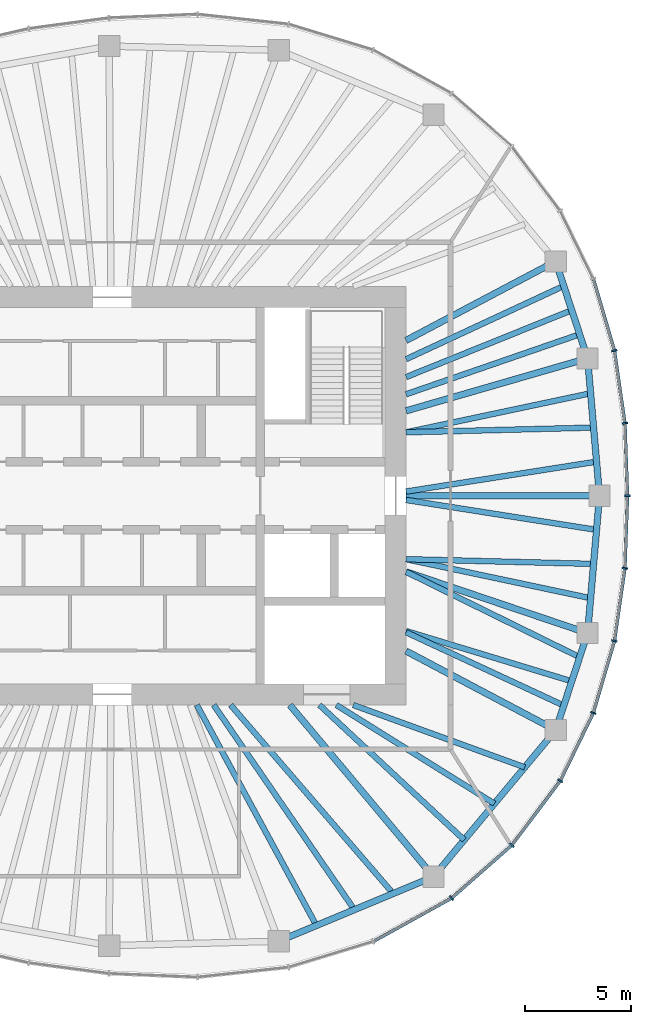
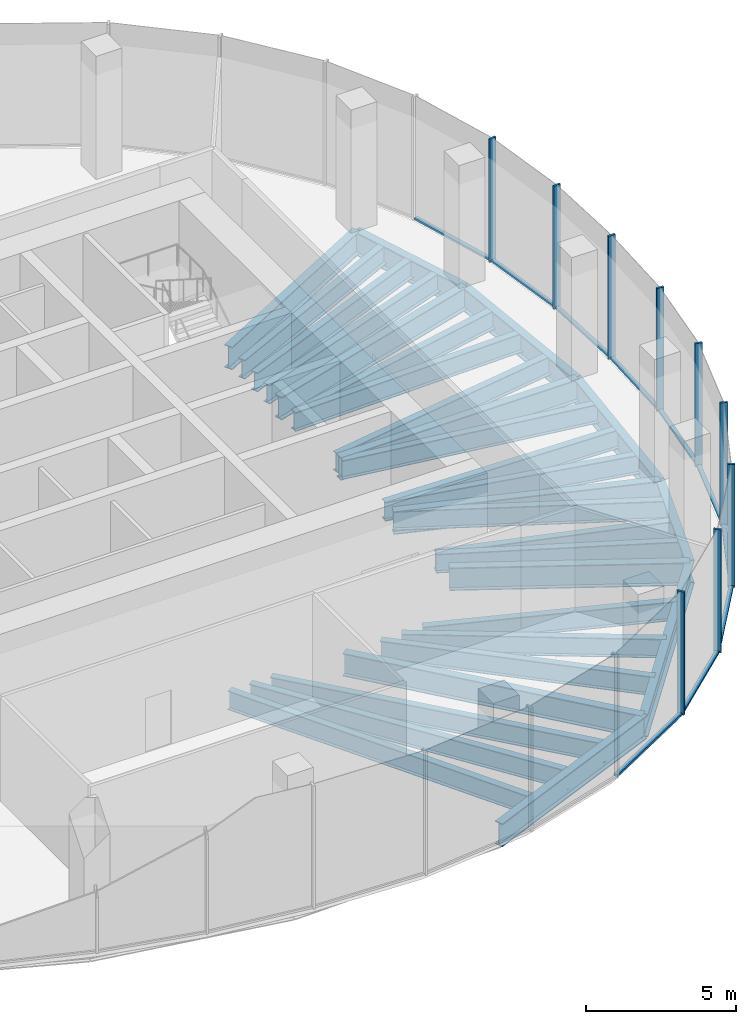
# One storey, part 4 of 11: 30 beams, 19 members, 6 elements without a shape of their own.
"""IFC4 building model written with IfcOpenShell, lengths in metres."""

from ifc_helpers import new_model, si_unit, direction, frame, origin, origin_2d, place, context, subcontext, project, spatial, rectangle, i_section, extrude, material, material_profile, profile_set, type_object, element, aggregate, save


model = new_model("IFC4")

# Units and contexts
model_context = context("Model", 3, precision=1e-05, world=origin(), true_north=direction((0.0, 1.0)))
body_context = subcontext(model_context, "Body", "Model", "MODEL_VIEW")
ifc_project = project(units=[si_unit("LENGTHUNIT", "METRE"), si_unit("AREAUNIT", "SQUARE_METRE"), si_unit("VOLUMEUNIT", "CUBIC_METRE"), si_unit("PLANEANGLEUNIT", "RADIAN"), si_unit("MASSUNIT", "GRAM", prefix="KILO")], contexts=[model_context])

# Site, building, storey
site_placement = place(None, origin())
site = spatial("IfcSite", under=ifc_project, at=site_placement, CompositionType="ELEMENT")
building_placement = place(site_placement, origin())
building = spatial("IfcBuilding", under=site, at=building_placement, Name="Ghaith Harvest Tower", CompositionType="ELEMENT")
storey_placement = place(building_placement, frame((0.0, 0.0, 344.199951171875)))
storey = spatial("IfcBuildingStorey", under=building, at=storey_placement, Name="L77", CompositionType="ELEMENT", Elevation=344.199951171875)

# Curtain wall, members
ifc_material_1 = material(Name="Black anodised aluminium and fritted glass", Category="aluminium")
curtain_wall_type = type_object("IfcCurtainWallType", Name="CW-C CURTAIN WALL", PredefinedType="NOTDEFINED", material=ifc_material_1)
curtain_wall_1_placement = place(storey_placement, origin())
curtain_wall_1 = element("IfcCurtainWall", 1, at=curtain_wall_1_placement, inside=storey, type_object=curtain_wall_type, Name="Curtain wall CW-C bay 01 L77", PredefinedType="NOTDEFINED")
ifc_material_2 = material(Name="Aluminium, black anodised", Category="aluminium")
ifc_material_profile_1 = material_profile(ifc_material_2, rectangle(XDim=0.080078125, YDim=0.260009765625, at=origin_2d()), Name="CW-C MULLION 80x260")
ifc_profile_set_1 = profile_set([ifc_material_profile_1], Name="Aluminium, black anodised")
member_type_1 = type_object("IfcMemberType", Name="CW-C MULLION 80x260", PredefinedType="MULLION", material=ifc_profile_set_1)
member_1_placement = place(storey_placement, frame((24.3701171875, 0.0, 0.0), z_axis=(0.0, 0.0, 1.0), x_axis=(5.2e-11, 1.0, 0.0)))
member_1 = element("IfcMember", 2, at=member_1_placement, type_object=member_type_1, Name="CW-C mullion 1 bay 01 L77", PredefinedType="MULLION", context=body_context, shape_type="SweptSolid", body=[
    extrude(rectangle(XDim=0.080078125, YDim=0.260009765625, at=origin_2d()), origin(), (0.0, 0.0, 1.0), 5.0),
])
member_2_placement = place(storey_placement, frame((24.247802734375, 3.433837890625, 0.0), z_axis=(0.0, 0.0, 1.0), x_axis=(-0.089502202236, 0.995986624305, 0.0)))
member_2 = element("IfcMember", 3, at=member_2_placement, type_object=member_type_1, Name="CW-C mullion 2 bay 01 L77", PredefinedType="MULLION", context=body_context, shape_type="SweptSolid", body=[
    extrude(rectangle(XDim=0.080078125, YDim=0.260009765625, at=origin_2d()), origin(), (0.0, 0.0, 1.0), 5.0),
])

# Curtain wall, member
curtain_wall_2_placement = place(storey_placement, origin())
curtain_wall_2 = element("IfcCurtainWall", 4, at=curtain_wall_2_placement, inside=storey, type_object=curtain_wall_type, Name="Curtain wall CW-C bay 02 L77", PredefinedType="NOTDEFINED")
member_3_placement = place(storey_placement, frame((23.753173828125, 6.865234375, 0.0), z_axis=(0.0, 0.0, 1.0), x_axis=(-0.21340203233, 0.976964468442, 0.0)))
member_3 = element("IfcMember", 5, at=member_3_placement, type_object=member_type_1, Name="CW-C mullion 1 bay 02 L77", PredefinedType="MULLION", context=body_context, shape_type="SweptSolid", body=[
    extrude(rectangle(XDim=0.080078125, YDim=0.260009765625, at=origin_2d()), origin(), (0.0, 0.0, 1.0), 5.0),
])

# Curtain wall, members
curtain_wall_3_placement = place(storey_placement, origin())
curtain_wall_3 = element("IfcCurtainWall", 6, at=curtain_wall_3_placement, inside=storey, type_object=curtain_wall_type, Name="Curtain wall CW-C bay 18 L77", PredefinedType="NOTDEFINED")
member_4_placement = place(storey_placement, frame((16.04931640625, -19.031982421875, 0.0), z_axis=(0.0, 0.0, 1.0), x_axis=(0.821112053644, 0.570767023715, 0.0)))
member_4 = element("IfcMember", 7, at=member_4_placement, type_object=member_type_1, Name="CW-C mullion 1 bay 18 L77", PredefinedType="MULLION", context=body_context, shape_type="SweptSolid", body=[
    extrude(rectangle(XDim=0.080078125, YDim=0.260009765625, at=origin_2d()), origin(), (0.0, 0.0, 1.0), 5.0),
])
member_5_placement = place(storey_placement, frame((18.901123046875, -16.527099609375, 0.0), z_axis=(0.0, 0.0, 1.0), x_axis=(0.679660897254, 0.733526458108, 0.0)))
member_5 = element("IfcMember", 8, at=member_5_placement, type_object=member_type_1, Name="CW-C mullion 2 bay 18 L77", PredefinedType="MULLION", context=body_context, shape_type="SweptSolid", body=[
    extrude(rectangle(XDim=0.080078125, YDim=0.260009765625, at=origin_2d()), origin(), (0.0, 0.0, 1.0), 5.0),
])

curtain_wall_4_placement = place(storey_placement, origin())
curtain_wall_4 = element("IfcCurtainWall", 9, at=curtain_wall_4_placement, inside=storey, type_object=curtain_wall_type, Name="Curtain wall CW-C bay 19 L77", PredefinedType="NOTDEFINED")
member_6_placement = place(storey_placement, frame((21.18896484375, -13.48486328125, 0.0), z_axis=(0.0, 0.0, 1.0), x_axis=(0.524482238715, 0.85142138878, 0.0)))
member_6 = element("IfcMember", 10, at=member_6_placement, type_object=member_type_1, Name="CW-C mullion 1 bay 19 L77", PredefinedType="MULLION", context=body_context, shape_type="SweptSolid", body=[
    extrude(rectangle(XDim=0.080078125, YDim=0.260009765625, at=origin_2d()), origin(), (0.0, 0.0, 1.0), 5.0),
])
member_7_placement = place(storey_placement, frame((22.754150390625, -10.272216796875, 0.0), z_axis=(0.0, 0.0, 1.0), x_axis=(0.361184273904, 0.932494461262, 0.0)))
member_7 = element("IfcMember", 11, at=member_7_placement, type_object=member_type_1, Name="CW-C mullion 2 bay 19 L77", PredefinedType="MULLION", context=body_context, shape_type="SweptSolid", body=[
    extrude(rectangle(XDim=0.080078125, YDim=0.260009765625, at=origin_2d()), origin(), (0.0, 0.0, 1.0), 5.0),
])

curtain_wall_5_placement = place(storey_placement, origin())
curtain_wall_5 = element("IfcCurtainWall", 12, at=curtain_wall_5_placement, inside=storey, type_object=curtain_wall_type, Name="Curtain wall CW-C bay 20 L77", PredefinedType="NOTDEFINED")
member_8_placement = place(storey_placement, frame((23.753173828125, -6.865234375, 0.0), z_axis=(0.0, 0.0, 1.0), x_axis=(0.213402032501, 0.976964468404, 0.0)))
member_8 = element("IfcMember", 13, at=member_8_placement, type_object=member_type_1, Name="CW-C mullion 1 bay 20 L77", PredefinedType="MULLION", context=body_context, shape_type="SweptSolid", body=[
    extrude(rectangle(XDim=0.080078125, YDim=0.260009765625, at=origin_2d()), origin(), (0.0, 0.0, 1.0), 5.0),
])
member_9_placement = place(storey_placement, frame((24.247802734375, -3.433837890625, 0.0), z_axis=(0.0, 0.0, 1.0), x_axis=(0.089502202305, 0.995986624299, 0.0)))
member_9 = element("IfcMember", 14, at=member_9_placement, type_object=member_type_1, Name="CW-C mullion 2 bay 20 L77", PredefinedType="MULLION", context=body_context, shape_type="SweptSolid", body=[
    extrude(rectangle(XDim=0.080078125, YDim=0.260009765625, at=origin_2d()), origin(), (0.0, 0.0, 1.0), 5.0),
])

# Member
ifc_material_3 = material(Name="Aluminium, black anodised", Category="aluminium")
ifc_material_profile_2 = material_profile(ifc_material_3, rectangle(XDim=0.159912109375, YDim=0.080078125, at=origin_2d()), Name="CW-C TRANSOM 160x80")
ifc_profile_set_2 = profile_set([ifc_material_profile_2], Name="Aluminium, black anodised")
member_type_2 = type_object("IfcMemberType", Name="CW-C TRANSOM 160x80", PredefinedType="USERDEFINED", material=ifc_profile_set_2)
member_10_placement = place(storey_placement, frame((24.36865234375, 0.0400390625, 0.0400390625), z_axis=(-0.035574759537, 0.999367017909, 0.0), x_axis=(-0.999367017909, -0.035574759537, 0.0)))
member_10 = element("IfcMember", 15, at=member_10_placement, type_object=member_type_2, Name="CW-C transom 1 bay 01 L77", ObjectType="TRANSOM", PredefinedType="USERDEFINED", context=body_context, shape_type="SweptSolid", body=[
    extrude(rectangle(XDim=0.159912109375, YDim=0.080078125, at=origin_2d()), origin(), (0.0, 0.0, 1.0), 3.35595703125),
])

member_11_placement = place(storey_placement, frame((24.2421875, 3.473388671875, 0.0400390625), z_axis=(-0.142733224301, 0.989761196795, 0.0), x_axis=(-0.989761196795, -0.142733224301, 0.0)))
member_11 = element("IfcMember", 16, at=member_11_placement, type_object=member_type_2, Name="CW-C transom 2 bay 01 L77", ObjectType="TRANSOM", PredefinedType="USERDEFINED", context=body_context, shape_type="SweptSolid", body=[
    extrude(rectangle(XDim=0.159912109375, YDim=0.080078125, at=origin_2d()), origin(), (0.0, 0.0, 1.0), 3.38671875),
])

aggregate(curtain_wall_1, [member_1, member_10, member_2, member_11])

member_12_placement = place(storey_placement, frame((23.741943359375, 6.903564453125, 0.0400390625), z_axis=(-0.281385475469, 0.95959481772, 0.0), x_axis=(-0.95959481772, -0.281385475469, 0.0)))
member_12 = element("IfcMember", 17, at=member_12_placement, type_object=member_type_2, Name="CW-C transom 1 bay 02 L77", ObjectType="TRANSOM", PredefinedType="USERDEFINED", context=body_context, shape_type="SweptSolid", body=[
    extrude(rectangle(XDim=0.159912109375, YDim=0.080078125, at=origin_2d()), origin(), (0.0, 0.0, 1.0), 3.470458984375),
])

aggregate(curtain_wall_2, [member_3, member_12])

# Curtain wall, member
curtain_wall_6_placement = place(storey_placement, origin())
curtain_wall_6 = element("IfcCurtainWall", 18, at=curtain_wall_6_placement, inside=storey, type_object=curtain_wall_type, Name="Curtain wall CW-C bay 17 L77", PredefinedType="NOTDEFINED")
member_13_placement = place(storey_placement, frame((12.369384765625, -21.072509765625, 0.0400390625), z_axis=(0.874552130553, 0.484931511603, 0.0), x_axis=(-0.484931511603, 0.874552130553, 0.0)))
member_13 = element("IfcMember", 19, at=member_13_placement, type_object=member_type_2, Name="CW-C transom 2 bay 17 L77", ObjectType="TRANSOM", PredefinedType="USERDEFINED", context=body_context, shape_type="SweptSolid", body=[
    extrude(rectangle(XDim=0.159912109375, YDim=0.080078125, at=origin_2d()), origin(), (0.0, 0.0, 1.0), 4.16748046875),
])
aggregate(curtain_wall_6, [member_13])

# Member
member_14_placement = place(storey_placement, frame((16.079345703125, -19.005615234375, 0.0400390625), z_axis=(0.751325799984, 0.659931467865, 0.0), x_axis=(-0.659931467865, 0.751325799984, 0.0)))
member_14 = element("IfcMember", 20, at=member_14_placement, type_object=member_type_2, Name="CW-C transom 1 bay 18 L77", ObjectType="TRANSOM", PredefinedType="USERDEFINED", context=body_context, shape_type="SweptSolid", body=[
    extrude(rectangle(XDim=0.159912109375, YDim=0.080078125, at=origin_2d()), origin(), (0.0, 0.0, 1.0), 3.7158203125),
])

member_15_placement = place(storey_placement, frame((18.925048828125, -16.4951171875, 0.0400390625), z_axis=(0.601079103045, 0.799189534392, 0.0), x_axis=(-0.799189534392, 0.601079103045, 0.0)))
member_15 = element("IfcMember", 21, at=member_15_placement, type_object=member_type_2, Name="CW-C transom 2 bay 18 L77", ObjectType="TRANSOM", PredefinedType="USERDEFINED", context=body_context, shape_type="SweptSolid", body=[
    extrude(rectangle(XDim=0.159912109375, YDim=0.080078125, at=origin_2d()), origin(), (0.0, 0.0, 1.0), 3.7265625),
])

aggregate(curtain_wall_3, [member_4, member_14, member_5, member_15])

member_16_placement = place(storey_placement, frame((21.20654296875, -13.448974609375, 0.0400390625), z_axis=(0.437965078712, 0.898991985408, 0.0), x_axis=(-0.898991985408, 0.437965078712, 0.0)))
member_16 = element("IfcMember", 22, at=member_16_placement, type_object=member_type_2, Name="CW-C transom 1 bay 19 L77", ObjectType="TRANSOM", PredefinedType="USERDEFINED", context=body_context, shape_type="SweptSolid", body=[
    extrude(rectangle(XDim=0.159912109375, YDim=0.080078125, at=origin_2d()), origin(), (0.0, 0.0, 1.0), 3.493408203125),
])

member_17_placement = place(storey_placement, frame((22.765380859375, -10.23388671875, 0.0400390625), z_axis=(0.281385475469, 0.95959481772, 0.0), x_axis=(-0.95959481772, 0.281385475469, 0.0)))
member_17 = element("IfcMember", 23, at=member_17_placement, type_object=member_type_2, Name="CW-C transom 2 bay 19 L77", ObjectType="TRANSOM", PredefinedType="USERDEFINED", context=body_context, shape_type="SweptSolid", body=[
    extrude(rectangle(XDim=0.159912109375, YDim=0.080078125, at=origin_2d()), origin(), (0.0, 0.0, 1.0), 3.470458984375),
])

aggregate(curtain_wall_4, [member_6, member_16, member_7, member_17])

member_18_placement = place(storey_placement, frame((23.7587890625, -6.825439453125, 0.0400390625), z_axis=(0.142733224301, 0.989761196795, 0.0), x_axis=(-0.989761196795, 0.142733224301, 0.0)))
member_18 = element("IfcMember", 24, at=member_18_placement, type_object=member_type_2, Name="CW-C transom 1 bay 20 L77", ObjectType="TRANSOM", PredefinedType="USERDEFINED", context=body_context, shape_type="SweptSolid", body=[
    extrude(rectangle(XDim=0.159912109375, YDim=0.080078125, at=origin_2d()), origin(), (0.0, 0.0, 1.0), 3.38671875),
])

member_19_placement = place(storey_placement, frame((24.249267578125, -3.393798828125, 0.0400390625), z_axis=(0.035574759537, 0.999367017909, 0.0), x_axis=(-0.999367017909, 0.035574759537, 0.0)))
member_19 = element("IfcMember", 25, at=member_19_placement, type_object=member_type_2, Name="CW-C transom 2 bay 20 L77", ObjectType="TRANSOM", PredefinedType="USERDEFINED", context=body_context, shape_type="SweptSolid", body=[
    extrude(rectangle(XDim=0.159912109375, YDim=0.080078125, at=origin_2d()), origin(), (0.0, 0.0, 1.0), 3.35595703125),
])

aggregate(curtain_wall_5, [member_8, member_18, member_9, member_19])

# Beams
ifc_material_4 = material(Name="Steel ASTM A992 Grade 50", Category="steel")
ifc_material_profile_3 = material_profile(ifc_material_4, i_section(OverallWidth=0.306884765625, OverallDepth=0.94189453125, WebThickness=0.022216796875, FlangeThickness=0.039794921875, at=origin_2d()), Name="W920X345")
ifc_profile_set_3 = profile_set([ifc_material_profile_3], Name="Steel ASTM A992 Grade 50")
beam_type_1 = type_object("IfcBeamType", Name="E920-345 W920X345", PredefinedType="SPANDREL", material=ifc_profile_set_3)
beam_1_placement = place(storey_placement, frame((23.050048828125, 0.0, -0.77099609375), z_axis=(-0.086600547306, 0.996243115513, 0.0), x_axis=(-0.996243115513, -0.086600547306, 0.0)))
element("IfcBeam", 26, at=beam_1_placement, inside=storey, type_object=beam_type_1, Name="Edge beam E01 L77", PredefinedType="SPANDREL", context=body_context, shape_type="SweptSolid", body=[
    extrude(i_section(OverallWidth=0.306884765625, OverallDepth=0.94189453125, WebThickness=0.022216796875, FlangeThickness=0.039794921875, at=origin_2d()), origin(), (0.0, 0.0, 1.0), 6.5234375),
])
beam_2_placement = place(storey_placement, frame((22.485107421875, 6.4990234375, -0.77099609375), z_axis=(-0.312206727278, 0.950014189074, 0.0), x_axis=(-0.950014189074, -0.312206727278, 0.0)))
element("IfcBeam", 27, at=beam_2_placement, inside=storey, type_object=beam_type_1, Name="Edge beam E02 L77", PredefinedType="SPANDREL", context=body_context, shape_type="SweptSolid", body=[
    extrude(i_section(OverallWidth=0.306884765625, OverallDepth=0.94189453125, WebThickness=0.022216796875, FlangeThickness=0.039794921875, at=origin_2d()), origin(), (0.0, 0.0, 1.0), 4.830322265625),
])
beam_3_placement = place(storey_placement, frame((7.8779296875, -21.072021484375, -0.77099609375), z_axis=(0.923119729219, 0.384512633766, 0.0), x_axis=(-0.384512633766, 0.923119729219, 0.0)))
element("IfcBeam", 28, at=beam_3_placement, inside=storey, type_object=beam_type_1, Name="Edge beam E17 L77", PredefinedType="SPANDREL", context=body_context, shape_type="SweptSolid", body=[
    extrude(i_section(OverallWidth=0.306884765625, OverallDepth=0.94189453125, WebThickness=0.022216796875, FlangeThickness=0.039794921875, at=origin_2d()), origin(), (0.0, 0.0, 1.0), 7.9296875),
])
beam_4_placement = place(storey_placement, frame((15.197998046875, -18.02294921875, -0.77099609375), z_axis=(0.640173759088, 0.76823014662, 0.0), x_axis=(-0.76823014662, 0.640173759088, 0.0)))
element("IfcBeam", 29, at=beam_4_placement, inside=storey, type_object=beam_type_1, Name="Edge beam E18 L77", PredefinedType="SPANDREL", context=body_context, shape_type="SweptSolid", body=[
    extrude(i_section(OverallWidth=0.306884765625, OverallDepth=0.94189453125, WebThickness=0.022216796875, FlangeThickness=0.039794921875, at=origin_2d()), origin(), (0.0, 0.0, 1.0), 9.02734375),
])
beam_5_placement = place(storey_placement, frame((20.97705078125, -11.087890625, -0.77099609375), z_axis=(0.312206727278, 0.950014189074, 0.0), x_axis=(-0.950014189074, 0.312206727278, 0.0)))
element("IfcBeam", 30, at=beam_5_placement, inside=storey, type_object=beam_type_1, Name="Edge beam E19 L77", PredefinedType="SPANDREL", context=body_context, shape_type="SweptSolid", body=[
    extrude(i_section(OverallWidth=0.306884765625, OverallDepth=0.94189453125, WebThickness=0.022216796875, FlangeThickness=0.039794921875, at=origin_2d()), origin(), (0.0, 0.0, 1.0), 4.830322265625),
])
beam_6_placement = place(storey_placement, frame((22.485107421875, -6.4990234375, -0.77099609375), z_axis=(0.086600547306, 0.996243115513, 0.0), x_axis=(-0.996243115513, 0.086600547306, 0.0)))
element("IfcBeam", 31, at=beam_6_placement, inside=storey, type_object=beam_type_1, Name="Edge beam E20 L77", PredefinedType="SPANDREL", context=body_context, shape_type="SweptSolid", body=[
    extrude(i_section(OverallWidth=0.306884765625, OverallDepth=0.94189453125, WebThickness=0.022216796875, FlangeThickness=0.039794921875, at=origin_2d()), origin(), (0.0, 0.0, 1.0), 6.5234375),
])
ifc_material_5 = material(Name="Steel ASTM A992 Grade 50", Category="steel")
ifc_material_profile_4 = material_profile(ifc_material_5, i_section(OverallWidth=0.31005859375, OverallDepth=0.927001953125, WebThickness=0.019287109375, FlangeThickness=0.031982421875, at=origin_2d()), Name="W920X289")
ifc_profile_set_4 = profile_set([ifc_material_profile_4], Name="Steel ASTM A992 Grade 50")
beam_type_2 = type_object("IfcBeamType", Name="G920-289 W920X289", PredefinedType="BEAM", material=ifc_profile_set_4)
beam_7_placement = place(storey_placement, frame((13.89990234375, 0.0, -0.763427734375), z_axis=(1.0, 0.0, 0.0), x_axis=(0.0, 1.0, 0.0)))
element("IfcBeam", 32, at=beam_7_placement, inside=storey, type_object=beam_type_2, Name="Radial girder G01 L77", PredefinedType="BEAM", context=body_context, shape_type="SweptSolid", body=[
    extrude(i_section(OverallWidth=0.31005859375, OverallDepth=0.927001953125, WebThickness=0.019287109375, FlangeThickness=0.031982421875, at=origin_2d()), origin(), (0.0, 0.0, 1.0), 9.150146484375),
])
beam_8_placement = place(storey_placement, frame((13.89990234375, 4.017333984375, -0.763427734375), z_axis=(0.960668846071, 0.27769653975, 0.0), x_axis=(-0.27769653975, 0.960668846071, 0.0)))
element("IfcBeam", 33, at=beam_8_placement, inside=storey, type_object=beam_type_2, Name="Radial girder G02 L77", PredefinedType="BEAM", context=body_context, shape_type="SweptSolid", body=[
    extrude(i_section(OverallWidth=0.31005859375, OverallDepth=0.927001953125, WebThickness=0.019287109375, FlangeThickness=0.031982421875, at=origin_2d()), origin(), (0.0, 0.0, 1.0), 8.936767578125),
])
beam_9_placement = place(storey_placement, frame((13.89990234375, 7.34716796875, -0.763427734375), z_axis=(0.884097820364, 0.467301876764, 0.0), x_axis=(-0.467301876764, 0.884097820364, 0.0)))
element("IfcBeam", 34, at=beam_9_placement, inside=storey, type_object=beam_type_2, Name="Radial girder G03 L77", PredefinedType="BEAM", context=body_context, shape_type="SweptSolid", body=[
    extrude(i_section(OverallWidth=0.31005859375, OverallDepth=0.927001953125, WebThickness=0.019287109375, FlangeThickness=0.031982421875, at=origin_2d()), origin(), (0.0, 0.0, 1.0), 8.0048828125),
])
beam_10_placement = place(storey_placement, frame((8.39990234375, -9.89990234375, -0.763427734375), z_axis=(0.641792628883, -0.766878231215, 0.0), x_axis=(0.766878231215, 0.641792628883, 0.0)))
element("IfcBeam", 35, at=beam_10_placement, inside=storey, type_object=beam_type_2, Name="Radial girder G18 L77", PredefinedType="BEAM", context=body_context, shape_type="SweptSolid", body=[
    extrude(i_section(OverallWidth=0.31005859375, OverallDepth=0.927001953125, WebThickness=0.019287109375, FlangeThickness=0.031982421875, at=origin_2d()), origin(), (0.0, 0.0, 1.0), 10.59228515625),
])
beam_11_placement = place(storey_placement, frame((13.89990234375, -7.34716796875, -0.763427734375), z_axis=(0.884097820364, -0.467301876764, 0.0), x_axis=(0.467301876764, 0.884097820364, 0.0)))
element("IfcBeam", 36, at=beam_11_placement, inside=storey, type_object=beam_type_2, Name="Radial girder G19 L77", PredefinedType="BEAM", context=body_context, shape_type="SweptSolid", body=[
    extrude(i_section(OverallWidth=0.31005859375, OverallDepth=0.927001953125, WebThickness=0.019287109375, FlangeThickness=0.031982421875, at=origin_2d()), origin(), (0.0, 0.0, 1.0), 8.0048828125),
])
beam_12_placement = place(storey_placement, frame((13.89990234375, -3.60009765625, -0.763427734375), z_axis=(0.947444819082, -0.319919231673, 0.0), x_axis=(0.319919231673, 0.947444819082, 0.0)))
element("IfcBeam", 37, at=beam_12_placement, inside=storey, type_object=beam_type_2, Name="Radial girder G20 L77", PredefinedType="BEAM", context=body_context, shape_type="SweptSolid", body=[
    extrude(i_section(OverallWidth=0.31005859375, OverallDepth=0.927001953125, WebThickness=0.019287109375, FlangeThickness=0.031982421875, at=origin_2d()), origin(), (0.0, 0.0, 1.0), 9.0615234375),
])
ifc_material_6 = material(Name="Steel ASTM A992 Grade 50", Category="steel")
ifc_material_profile_5 = material_profile(ifc_material_6, i_section(OverallWidth=0.26806640625, OverallDepth=0.77001953125, WebThickness=0.015625, FlangeThickness=0.025390625, at=origin_2d()), Name="W760X196")
ifc_profile_set_5 = profile_set([ifc_material_profile_5], Name="Steel ASTM A992 Grade 50")
beam_type_3 = type_object("IfcBeamType", Name="J760-196 W760X196", PredefinedType="JOIST", material=ifc_profile_set_5)
beam_13_placement = place(storey_placement, frame((13.89990234375, 0.199951171875, -0.68505859375), z_axis=(0.987906665526, 0.155049734628, 0.0), x_axis=(-0.155049734628, 0.987906665526, 0.0)))
element("IfcBeam", 38, at=beam_13_placement, inside=storey, type_object=beam_type_3, Name="Joist J01.1 L77", PredefinedType="JOIST", context=body_context, shape_type="SweptSolid", body=[
    extrude(i_section(OverallWidth=0.26806640625, OverallDepth=0.77001953125, WebThickness=0.015625, FlangeThickness=0.025390625, at=origin_2d()), origin(), (0.0, 0.0, 1.0), 9.1201171875),
])
beam_14_placement = place(storey_placement, frame((13.89990234375, 3.0, -0.68505859375), z_axis=(0.999679533859, 0.025314612071, 0.0), x_axis=(-0.025314612071, 0.999679533859, 0.0)))
element("IfcBeam", 39, at=beam_14_placement, inside=storey, type_object=beam_type_3, Name="Joist J01.2 L77", PredefinedType="JOIST", context=body_context, shape_type="SweptSolid", body=[
    extrude(i_section(OverallWidth=0.26806640625, OverallDepth=0.77001953125, WebThickness=0.015625, FlangeThickness=0.025390625, at=origin_2d()), origin(), (0.0, 0.0, 1.0), 8.872802734375),
])
beam_15_placement = place(storey_placement, frame((13.89990234375, 3.0, -0.68505859375), z_axis=(0.97833382446, 0.207033639579, 0.0), x_axis=(-0.207033639579, 0.97833382446, 0.0)))
element("IfcBeam", 40, at=beam_15_placement, inside=storey, type_object=beam_type_3, Name="Joist J01.3 L77", PredefinedType="JOIST", context=body_context, shape_type="SweptSolid", body=[
    extrude(i_section(OverallWidth=0.26806640625, OverallDepth=0.77001953125, WebThickness=0.015625, FlangeThickness=0.025390625, at=origin_2d()), origin(), (0.0, 0.0, 1.0), 8.922119140625),
])
beam_16_placement = place(storey_placement, frame((13.89990234375, 4.801025390625, -0.68505859375), z_axis=(0.945204712775, 0.326478254937, 0.0), x_axis=(-0.326478254937, 0.945204712775, 0.0)))
element("IfcBeam", 41, at=beam_16_placement, inside=storey, type_object=beam_type_3, Name="Joist J02.1 L77", PredefinedType="JOIST", context=body_context, shape_type="SweptSolid", body=[
    extrude(i_section(OverallWidth=0.26806640625, OverallDepth=0.77001953125, WebThickness=0.015625, FlangeThickness=0.025390625, at=origin_2d()), origin(), (0.0, 0.0, 1.0), 8.687255859375),
])
beam_17_placement = place(storey_placement, frame((13.89990234375, 5.61328125, -0.68505859375), z_axis=(0.927254375113, 0.374432001615, 0.0), x_axis=(-0.374432001615, 0.927254375113, 0.0)))
element("IfcBeam", 42, at=beam_17_placement, inside=storey, type_object=beam_type_3, Name="Joist J02.2 L77", PredefinedType="JOIST", context=body_context, shape_type="SweptSolid", body=[
    extrude(i_section(OverallWidth=0.26806640625, OverallDepth=0.77001953125, WebThickness=0.015625, FlangeThickness=0.025390625, at=origin_2d()), origin(), (0.0, 0.0, 1.0), 8.450927734375),
])
beam_18_placement = place(storey_placement, frame((13.89990234375, 6.45947265625, -0.68505859375), z_axis=(0.906859906661, 0.42143221245, 0.0), x_axis=(-0.42143221245, 0.906859906661, 0.0)))
element("IfcBeam", 43, at=beam_18_placement, inside=storey, type_object=beam_type_3, Name="Joist J02.3 L77", PredefinedType="JOIST", context=body_context, shape_type="SweptSolid", body=[
    extrude(i_section(OverallWidth=0.26806640625, OverallDepth=0.77001953125, WebThickness=0.015625, FlangeThickness=0.025390625, at=origin_2d()), origin(), (0.0, 0.0, 1.0), 8.22509765625),
])
beam_19_placement = place(storey_placement, frame((4.0, -9.89990234375, -0.68505859375), z_axis=(0.476764926531, -0.879030832696, 0.0), x_axis=(0.879030832696, 0.476764926531, 0.0)))
element("IfcBeam", 44, at=beam_19_placement, inside=storey, type_object=beam_type_3, Name="Joist J17.1 L77", PredefinedType="JOIST", context=body_context, shape_type="SweptSolid", body=[
    extrude(i_section(OverallWidth=0.26806640625, OverallDepth=0.77001953125, WebThickness=0.015625, FlangeThickness=0.025390625, at=origin_2d()), origin(), (0.0, 0.0, 1.0), 11.866455078125),
])
beam_20_placement = place(storey_placement, frame((4.800048828125, -9.89990234375, -0.68505859375), z_axis=(0.566228035119, -0.824248634967, 0.0), x_axis=(0.824248634967, 0.566228035119, 0.0)))
element("IfcBeam", 45, at=beam_20_placement, inside=storey, type_object=beam_type_3, Name="Joist J17.2 L77", PredefinedType="JOIST", context=body_context, shape_type="SweptSolid", body=[
    extrude(i_section(OverallWidth=0.26806640625, OverallDepth=0.77001953125, WebThickness=0.015625, FlangeThickness=0.025390625, at=origin_2d()), origin(), (0.0, 0.0, 1.0), 11.748046875),
])
beam_21_placement = place(storey_placement, frame((5.60009765625, -9.89990234375, -0.68505859375), z_axis=(0.652992938501, -0.757363995888, 0.0), x_axis=(0.757363995888, 0.652992938501, 0.0)))
element("IfcBeam", 46, at=beam_21_placement, inside=storey, type_object=beam_type_3, Name="Joist J17.3 L77", PredefinedType="JOIST", context=body_context, shape_type="SweptSolid", body=[
    extrude(i_section(OverallWidth=0.26806640625, OverallDepth=0.77001953125, WebThickness=0.015625, FlangeThickness=0.025390625, at=origin_2d()), origin(), (0.0, 0.0, 1.0), 11.775390625),
])
beam_22_placement = place(storey_placement, frame((9.800048828125, -9.89990234375, -0.68505859375), z_axis=(0.73164904944, -0.681681500742, 0.0), x_axis=(0.681681500742, 0.73164904944, 0.0)))
element("IfcBeam", 47, at=beam_22_placement, inside=storey, type_object=beam_type_3, Name="Joist J18.1 L77", PredefinedType="JOIST", context=body_context, shape_type="SweptSolid", body=[
    extrude(i_section(OverallWidth=0.26806640625, OverallDepth=0.77001953125, WebThickness=0.015625, FlangeThickness=0.025390625, at=origin_2d()), origin(), (0.0, 0.0, 1.0), 9.361572265625),
])
beam_23_placement = place(storey_placement, frame((10.60009765625, -9.89990234375, -0.68505859375), z_axis=(0.84837619421, -0.52939383553, 0.0), x_axis=(0.52939383553, 0.84837619421, 0.0)))
element("IfcBeam", 48, at=beam_23_placement, inside=storey, type_object=beam_type_3, Name="Joist J18.2 L77", PredefinedType="JOIST", context=body_context, shape_type="SweptSolid", body=[
    extrude(i_section(OverallWidth=0.26806640625, OverallDepth=0.77001953125, WebThickness=0.015625, FlangeThickness=0.025390625, at=origin_2d()), origin(), (0.0, 0.0, 1.0), 8.814697265625),
])
beam_24_placement = place(storey_placement, frame((11.39990234375, -9.89990234375, -0.68505859375), z_axis=(0.939925501564, -0.341379629605, 0.0), x_axis=(0.341379629605, 0.939925501564, 0.0)))
element("IfcBeam", 49, at=beam_24_placement, inside=storey, type_object=beam_type_3, Name="Joist J18.3 L77", PredefinedType="JOIST", context=body_context, shape_type="SweptSolid", body=[
    extrude(i_section(OverallWidth=0.26806640625, OverallDepth=0.77001953125, WebThickness=0.015625, FlangeThickness=0.025390625, at=origin_2d()), origin(), (0.0, 0.0, 1.0), 8.630615234375),
])
beam_25_placement = place(storey_placement, frame((13.89990234375, -6.45947265625, -0.68505859375), z_axis=(0.906859906661, -0.42143221245, 0.0), x_axis=(0.42143221245, 0.906859906661, 0.0)))
element("IfcBeam", 50, at=beam_25_placement, inside=storey, type_object=beam_type_3, Name="Joist J19.1 L77", PredefinedType="JOIST", context=body_context, shape_type="SweptSolid", body=[
    extrude(i_section(OverallWidth=0.26806640625, OverallDepth=0.77001953125, WebThickness=0.015625, FlangeThickness=0.025390625, at=origin_2d()), origin(), (0.0, 0.0, 1.0), 8.22509765625),
])
beam_26_placement = place(storey_placement, frame((13.89990234375, -6.39990234375, -0.68505859375), z_axis=(0.9569197823, -0.290352424208, 0.0), x_axis=(0.290352424208, 0.9569197823, 0.0)))
element("IfcBeam", 51, at=beam_26_placement, inside=storey, type_object=beam_type_3, Name="Joist J19.2 L77", PredefinedType="JOIST", context=body_context, shape_type="SweptSolid", body=[
    extrude(i_section(OverallWidth=0.26806640625, OverallDepth=0.77001953125, WebThickness=0.015625, FlangeThickness=0.025390625, at=origin_2d()), origin(), (0.0, 0.0, 1.0), 8.18896484375),
])
beam_27_placement = place(storey_placement, frame((13.89990234375, -3.60009765625, -0.68505859375), z_axis=(0.89740088778, -0.441216099674, 0.0), x_axis=(0.441216099674, 0.89740088778, 0.0)))
element("IfcBeam", 52, at=beam_27_placement, inside=storey, type_object=beam_type_3, Name="Joist J19.3 L77", PredefinedType="JOIST", context=body_context, shape_type="SweptSolid", body=[
    extrude(i_section(OverallWidth=0.26806640625, OverallDepth=0.77001953125, WebThickness=0.015625, FlangeThickness=0.025390625, at=origin_2d()), origin(), (0.0, 0.0, 1.0), 9.14990234375),
])
beam_28_placement = place(storey_placement, frame((13.89990234375, -3.0, -0.68505859375), z_axis=(0.97833382446, -0.207033639579, 0.0), x_axis=(0.207033639579, 0.97833382446, 0.0)))
element("IfcBeam", 53, at=beam_28_placement, inside=storey, type_object=beam_type_3, Name="Joist J20.1 L77", PredefinedType="JOIST", context=body_context, shape_type="SweptSolid", body=[
    extrude(i_section(OverallWidth=0.26806640625, OverallDepth=0.77001953125, WebThickness=0.015625, FlangeThickness=0.025390625, at=origin_2d()), origin(), (0.0, 0.0, 1.0), 8.922119140625),
])
beam_29_placement = place(storey_placement, frame((13.89990234375, -3.0, -0.68505859375), z_axis=(0.999679533859, -0.025314612071, 0.0), x_axis=(0.025314612071, 0.999679533859, 0.0)))
element("IfcBeam", 54, at=beam_29_placement, inside=storey, type_object=beam_type_3, Name="Joist J20.2 L77", PredefinedType="JOIST", context=body_context, shape_type="SweptSolid", body=[
    extrude(i_section(OverallWidth=0.26806640625, OverallDepth=0.77001953125, WebThickness=0.015625, FlangeThickness=0.025390625, at=origin_2d()), origin(), (0.0, 0.0, 1.0), 8.872802734375),
])
beam_30_placement = place(storey_placement, frame((13.89990234375, -0.199951171875, -0.68505859375), z_axis=(0.987906665526, -0.155049734628, 0.0), x_axis=(0.155049734628, 0.987906665526, 0.0)))
element("IfcBeam", 55, at=beam_30_placement, inside=storey, type_object=beam_type_3, Name="Joist J20.3 L77", PredefinedType="JOIST", context=body_context, shape_type="SweptSolid", body=[
    extrude(i_section(OverallWidth=0.26806640625, OverallDepth=0.77001953125, WebThickness=0.015625, FlangeThickness=0.025390625, at=origin_2d()), origin(), (0.0, 0.0, 1.0), 9.1201171875),
])

save(model, "model.ifc")
